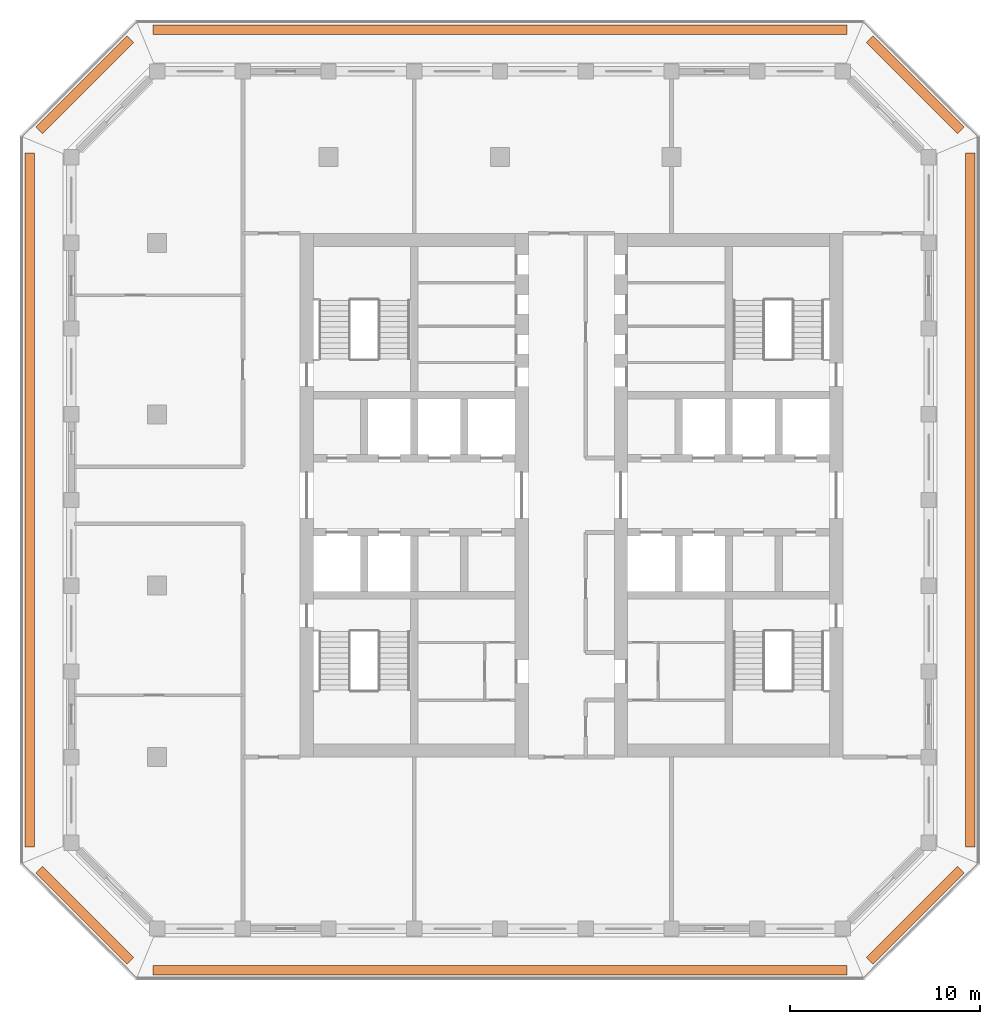
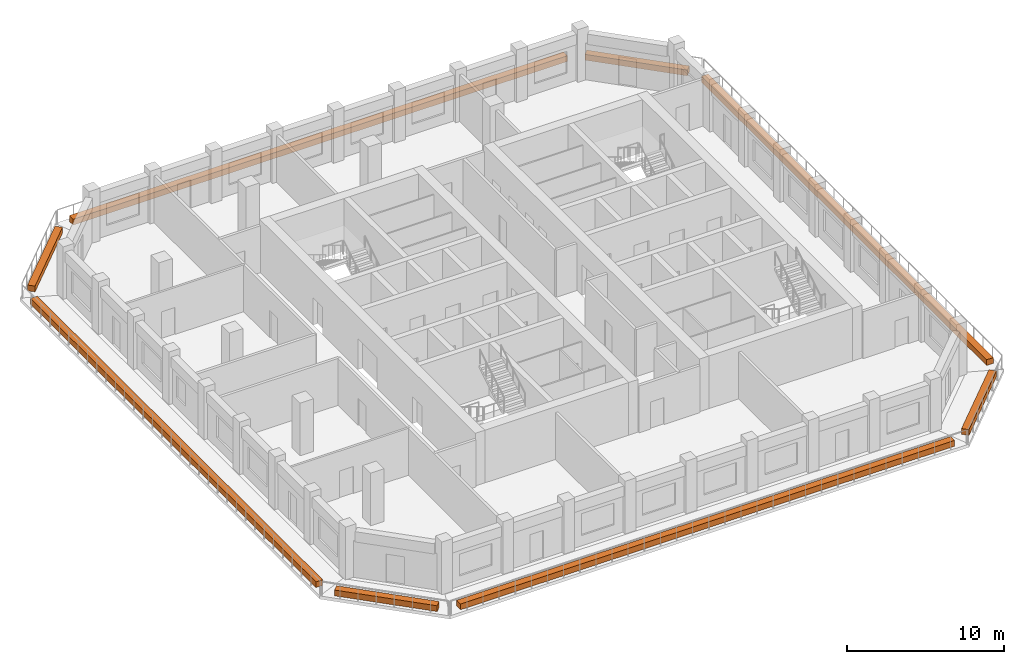
# One storey, part 14 of 14: 8 proxies.
"""IFC4 building model written with IfcOpenShell, lengths in metres."""

from ifc_helpers import new_model, si_unit, direction, frame, origin, origin_2d, place, context, subcontext, project, spatial, rectangle, extrude, material, type_object, element, save


model = new_model("IFC4")

# Units and contexts
model_context = context("Model", 3, precision=1e-05, world=origin(), true_north=direction((0.0, 1.0)))
body_context = subcontext(model_context, "Body", "Model", "MODEL_VIEW")
ifc_project = project(units=[si_unit("LENGTHUNIT", "METRE"), si_unit("AREAUNIT", "SQUARE_METRE"), si_unit("VOLUMEUNIT", "CUBIC_METRE"), si_unit("PLANEANGLEUNIT", "RADIAN"), si_unit("MASSUNIT", "GRAM", prefix="KILO")], contexts=[model_context])

# Site, building, storey
site_placement = place(None, origin())
site = spatial("IfcSite", under=ifc_project, at=site_placement, CompositionType="ELEMENT")
building_placement = place(site_placement, origin())
building = spatial("IfcBuilding", under=site, at=building_placement, Name="Corbel Stack Research Tower", CompositionType="ELEMENT")
storey_placement = place(building_placement, frame((0.0, 0.0, 278.60009765625)))
storey = spatial("IfcBuildingStorey", under=building, at=storey_placement, Name="L63", CompositionType="ELEMENT", Elevation=278.60009765625)

# Proxies
ifc_material = material(Name="Concrete C45/55", Category="concrete")
building_element_proxy_type = type_object("IfcBuildingElementProxyType", Name="Planter box", PredefinedType="USERDEFINED", material=ifc_material)
proxy_1_placement = place(storey_placement, frame((0.0, -20.199951171875, 0.0), z_axis=(0.0, 0.0, 1.0), x_axis=(1.0, 0.0, 0.0)))
element("IfcBuildingElementProxy", 1, at=proxy_1_placement, inside=storey, type_object=building_element_proxy_type, Name="Planter L63 S", ObjectType="PLANTER", PredefinedType="USERDEFINED", context=body_context, shape_type="SweptSolid", body=[
    extrude(rectangle(XDim=36.41064453125, YDim=0.5, at=origin_2d()), origin(), (0.0, 0.0, 1.0), 0.449951171875),
])
proxy_2_placement = place(storey_placement, frame((21.8056640625, -17.3056640625, 0.0), z_axis=(0.0, 0.0, 1.0), x_axis=(0.707106781187, 0.707106781187, 0.0)))
element("IfcBuildingElementProxy", 2, at=proxy_2_placement, inside=storey, type_object=building_element_proxy_type, Name="Planter L63 SE", ObjectType="PLANTER", PredefinedType="USERDEFINED", context=body_context, shape_type="SweptSolid", body=[
    extrude(rectangle(XDim=6.774658203125, YDim=0.5, at=origin_2d()), origin(), (0.0, 0.0, 1.0), 0.449951171875),
])
proxy_3_placement = place(storey_placement, frame((24.699951171875, 4.5, 0.0), z_axis=(0.0, 0.0, 1.0), x_axis=(0.0, 1.0, 0.0)))
element("IfcBuildingElementProxy", 3, at=proxy_3_placement, inside=storey, type_object=building_element_proxy_type, Name="Planter L63 E", ObjectType="PLANTER", PredefinedType="USERDEFINED", context=body_context, shape_type="SweptSolid", body=[
    extrude(rectangle(XDim=36.41064453125, YDim=0.5, at=origin_2d()), origin(), (0.0, 0.0, 1.0), 0.449951171875),
])
proxy_4_placement = place(storey_placement, frame((21.8056640625, 26.3056640625, 0.0), z_axis=(0.0, 0.0, 1.0), x_axis=(-0.707106781187, 0.707106781187, 0.0)))
element("IfcBuildingElementProxy", 4, at=proxy_4_placement, inside=storey, type_object=building_element_proxy_type, Name="Planter L63 NE", ObjectType="PLANTER", PredefinedType="USERDEFINED", context=body_context, shape_type="SweptSolid", body=[
    extrude(rectangle(XDim=6.774658203125, YDim=0.5, at=origin_2d()), origin(), (0.0, 0.0, 1.0), 0.449951171875),
])
proxy_5_placement = place(storey_placement, frame((0.0, 29.199951171875, 0.0), z_axis=(0.0, 0.0, 1.0), x_axis=(-1.0, 0.0, 0.0)))
element("IfcBuildingElementProxy", 5, at=proxy_5_placement, inside=storey, type_object=building_element_proxy_type, Name="Planter L63 N", ObjectType="PLANTER", PredefinedType="USERDEFINED", context=body_context, shape_type="SweptSolid", body=[
    extrude(rectangle(XDim=36.41064453125, YDim=0.5, at=origin_2d()), origin(), (0.0, 0.0, 1.0), 0.449951171875),
])
proxy_6_placement = place(storey_placement, frame((-21.8056640625, 26.3056640625, 0.0), z_axis=(0.0, 0.0, 1.0), x_axis=(-0.707106781187, -0.707106781187, 0.0)))
element("IfcBuildingElementProxy", 6, at=proxy_6_placement, inside=storey, type_object=building_element_proxy_type, Name="Planter L63 NW", ObjectType="PLANTER", PredefinedType="USERDEFINED", context=body_context, shape_type="SweptSolid", body=[
    extrude(rectangle(XDim=6.774658203125, YDim=0.5, at=origin_2d()), origin(), (0.0, 0.0, 1.0), 0.449951171875),
])
proxy_7_placement = place(storey_placement, frame((-24.699951171875, 4.5, 0.0), z_axis=(0.0, 0.0, 1.0), x_axis=(0.0, -1.0, 0.0)))
element("IfcBuildingElementProxy", 7, at=proxy_7_placement, inside=storey, type_object=building_element_proxy_type, Name="Planter L63 W", ObjectType="PLANTER", PredefinedType="USERDEFINED", context=body_context, shape_type="SweptSolid", body=[
    extrude(rectangle(XDim=36.41064453125, YDim=0.5, at=origin_2d()), origin(), (0.0, 0.0, 1.0), 0.449951171875),
])
proxy_8_placement = place(storey_placement, frame((-21.8056640625, -17.3056640625, 0.0), z_axis=(0.0, 0.0, 1.0), x_axis=(0.707106781187, -0.707106781187, 0.0)))
element("IfcBuildingElementProxy", 8, at=proxy_8_placement, inside=storey, type_object=building_element_proxy_type, Name="Planter L63 SW", ObjectType="PLANTER", PredefinedType="USERDEFINED", context=body_context, shape_type="SweptSolid", body=[
    extrude(rectangle(XDim=6.774658203125, YDim=0.5, at=origin_2d()), origin(), (0.0, 0.0, 1.0), 0.449951171875),
])

save(model, "model.ifc")
